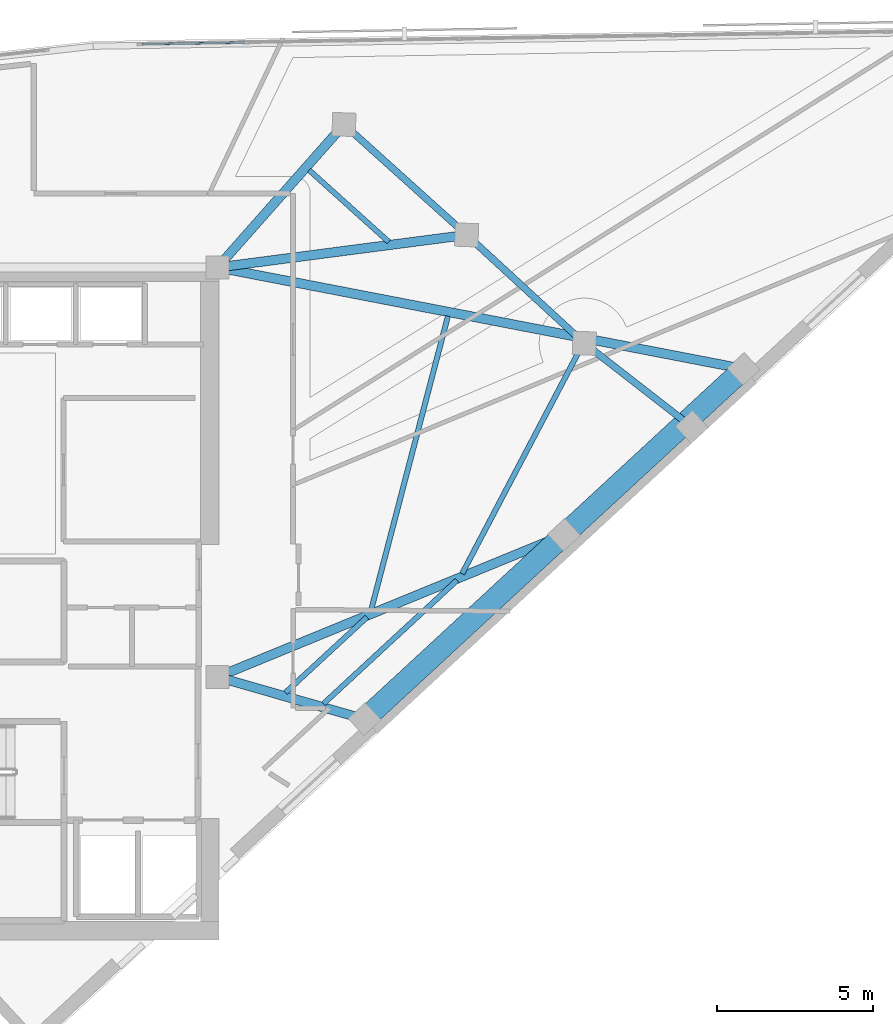
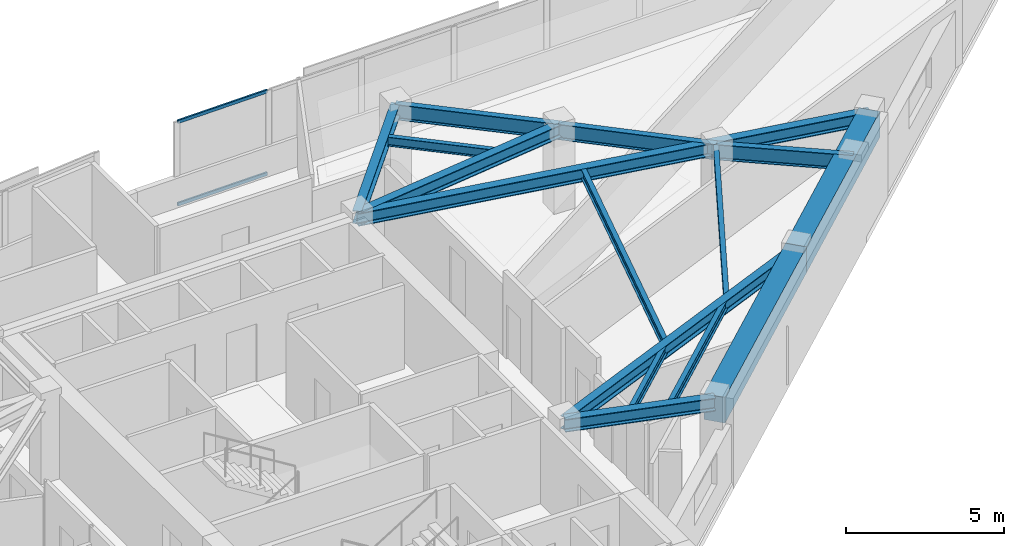
# One storey, part 4 of 13: 15 beams, 2 members, 1 element without a shape of its own.
"""IFC4 building model written with IfcOpenShell, lengths in metres."""

from ifc_helpers import new_model, si_unit, direction, frame, origin, origin_2d, place, context, subcontext, project, spatial, rectangle, hollow_rectangle, i_section, extrude, material, material_profile, profile_set, type_object, element, aggregate, save


model = new_model("IFC4")

# Units and contexts
model_context = context("Model", 3, precision=1e-05, world=origin(), true_north=direction((0.0, 1.0)))
body_context = subcontext(model_context, "Body", "Model", "MODEL_VIEW")
ifc_project = project(units=[si_unit("LENGTHUNIT", "METRE"), si_unit("AREAUNIT", "SQUARE_METRE"), si_unit("VOLUMEUNIT", "CUBIC_METRE"), si_unit("PLANEANGLEUNIT", "RADIAN"), si_unit("MASSUNIT", "GRAM", prefix="KILO")], contexts=[model_context])

# Site, building, storey
site_placement = place(None, origin())
site = spatial("IfcSite", under=ifc_project, at=site_placement, CompositionType="ELEMENT")
building_placement = place(site_placement, origin())
building = spatial("IfcBuilding", under=site, at=building_placement, Name="Narakoshi Arena Tower", CompositionType="ELEMENT")
storey_placement = place(building_placement, frame((0.0, 0.0, 271.300048828125)))
storey = spatial("IfcBuildingStorey", under=building, at=storey_placement, Name="L74", CompositionType="ELEMENT", Elevation=271.300048828125)

# Beams
ifc_material_1 = material(Name="Concrete C60/75", Category="concrete")
ifc_material_profile_1 = material_profile(ifc_material_1, rectangle(XDim=0.699951171875, YDim=1.0, at=origin_2d()), Name="RCB700x1000")
ifc_profile_set_1 = profile_set([ifc_material_profile_1], Name="Concrete C60/75")
beam_type_1 = type_object("IfcBeamType", Name="BM-CPL-1000", PredefinedType="BEAM", material=ifc_profile_set_1)
beam_1_placement = place(storey_placement, frame((90.2734375, 41.992919921875, 2.760009765625), z_axis=(0.734326819586, 0.678796082809, 0.0), x_axis=(-0.678796082809, 0.734326819586, 0.0)))
element("IfcBeam", 1, at=beam_1_placement, inside=storey, type_object=beam_type_1, Name="L74 Perimeter Edge Girder 01", PredefinedType="BEAM", context=body_context, shape_type="SweptSolid", body=[
    extrude(rectangle(XDim=0.699951171875, YDim=1.0, at=origin_2d()), origin(), (0.0, 0.0, 1.0), 8.72265625),
])
beam_2_placement = place(storey_placement, frame((96.6787109375, 47.913818359375, 2.760009765625), z_axis=(0.734333489286, 0.678788867405, 0.0), x_axis=(-0.678788867405, 0.734333489286, 0.0)))
element("IfcBeam", 2, at=beam_2_placement, inside=storey, type_object=beam_type_1, Name="L74 Perimeter Edge Girder 02", PredefinedType="BEAM", context=body_context, shape_type="SweptSolid", body=[
    extrude(rectangle(XDim=0.699951171875, YDim=1.0, at=origin_2d()), origin(), (0.0, 0.0, 1.0), 7.85009765625),
])
ifc_material_2 = material(Name="Structural steel S355J2", Category="steel")
ifc_material_profile_2 = material_profile(ifc_material_2, i_section(OverallWidth=0.219970703125, OverallDepth=0.60009765625, WebThickness=0.011962890625, FlangeThickness=0.01904296875, FilletRadius=0.02392578125, at=origin_2d()), Name="IPE600")
ifc_profile_set_2 = profile_set([ifc_material_profile_2], Name="Structural steel S355J2")
beam_type_2 = type_object("IfcBeamType", Name="BM-EDGE-600", PredefinedType="BEAM", material=ifc_profile_set_2)
beam_3_placement = place(storey_placement, frame((100.78173828125, 51.379638671875, 2.9599609375), z_axis=(-0.789307135535, 0.613998571491, 0.0), x_axis=(-0.613998571491, -0.789307135535, 0.0)))
element("IfcBeam", 3, at=beam_3_placement, inside=storey, type_object=beam_type_2, Name="L74 Perimeter Edge Girder 04", PredefinedType="BEAM", context=body_context, shape_type="SweptSolid", body=[
    extrude(i_section(OverallWidth=0.219970703125, OverallDepth=0.60009765625, WebThickness=0.011962890625, FlangeThickness=0.01904296875, FilletRadius=0.02392578125, at=origin_2d()), origin(), (0.0, 0.0, 1.0), 4.374267578125),
])
beam_4_placement = place(storey_placement, frame((97.3291015625, 54.0654296875, 2.9599609375), z_axis=(-0.735759504933, 0.677242903914, 0.0), x_axis=(-0.677242903914, -0.735759504933, 0.0)))
element("IfcBeam", 4, at=beam_4_placement, inside=storey, type_object=beam_type_2, Name="L74 Perimeter Edge Girder 05", PredefinedType="BEAM", context=body_context, shape_type="SweptSolid", body=[
    extrude(i_section(OverallWidth=0.219970703125, OverallDepth=0.60009765625, WebThickness=0.011962890625, FlangeThickness=0.01904296875, FilletRadius=0.02392578125, at=origin_2d()), origin(), (0.0, 0.0, 1.0), 5.135986328125),
])
beam_5_placement = place(storey_placement, frame((93.55029296875, 57.543701171875, 2.9599609375), z_axis=(-0.743147547665, 0.66912758305, 0.0), x_axis=(-0.66912758305, -0.743147547665, 0.0)))
element("IfcBeam", 5, at=beam_5_placement, inside=storey, type_object=beam_type_2, Name="L74 Perimeter Edge Girder 06", PredefinedType="BEAM", context=body_context, shape_type="SweptSolid", body=[
    extrude(i_section(OverallWidth=0.219970703125, OverallDepth=0.60009765625, WebThickness=0.011962890625, FlangeThickness=0.01904296875, FilletRadius=0.02392578125, at=origin_2d()), origin(), (0.0, 0.0, 1.0), 5.30029296875),
])
ifc_material_profile_3 = material_profile(ifc_material_2, i_section(OverallWidth=0.300048828125, OverallDepth=0.5, WebThickness=0.014404296875, FlangeThickness=0.028076171875, FilletRadius=0.027099609375, at=origin_2d()), Name="HE500B")
ifc_profile_set_3 = profile_set([ifc_material_profile_3], Name="Structural steel S355J2")
beam_type_3 = type_object("IfcBeamType", Name="BM-PRI-500", PredefinedType="BEAM", material=ifc_profile_set_3)
beam_6_placement = place(storey_placement, frame((85.550048828125, 43.35009765625, 3.010009765625), z_axis=(0.961112330887, -0.276157721993, 0.0), x_axis=(0.276157721993, 0.961112330887, 0.0)))
element("IfcBeam", 6, at=beam_6_placement, inside=storey, type_object=beam_type_3, Name="L74 Radial Primary Floor Girder 01", PredefinedType="BEAM", context=body_context, shape_type="SweptSolid", body=[
    extrude(i_section(OverallWidth=0.300048828125, OverallDepth=0.5, WebThickness=0.014404296875, FlangeThickness=0.028076171875, FilletRadius=0.027099609375, at=origin_2d()), origin(), (0.0, 0.0, 1.0), 4.91455078125),
])
beam_7_placement = place(storey_placement, frame((85.550048828125, 43.35009765625, 3.010009765625), z_axis=(0.925223618811, 0.379422265021, 0.0), x_axis=(-0.379422265021, 0.925223618811, 0.0)))
element("IfcBeam", 7, at=beam_7_placement, inside=storey, type_object=beam_type_3, Name="L74 Radial Primary Floor Girder 02", PredefinedType="BEAM", context=body_context, shape_type="SweptSolid", body=[
    extrude(i_section(OverallWidth=0.300048828125, OverallDepth=0.5, WebThickness=0.014404296875, FlangeThickness=0.028076171875, FilletRadius=0.027099609375, at=origin_2d()), origin(), (0.0, 0.0, 1.0), 12.028076171875),
])
beam_8_placement = place(storey_placement, frame((85.550048828125, 56.5, 3.010009765625), z_axis=(0.98191087483, -0.189343692505, 0.0), x_axis=(0.189343692505, 0.98191087483, 0.0)))
element("IfcBeam", 8, at=beam_8_placement, inside=storey, type_object=beam_type_3, Name="L74 Radial Primary Floor Girder 03", PredefinedType="BEAM", context=body_context, shape_type="SweptSolid", body=[
    extrude(i_section(OverallWidth=0.300048828125, OverallDepth=0.5, WebThickness=0.014404296875, FlangeThickness=0.028076171875, FilletRadius=0.027099609375, at=origin_2d()), origin(), (0.0, 0.0, 1.0), 17.20458984375),
])
beam_9_placement = place(storey_placement, frame((85.550048828125, 56.5, 3.010009765625), z_axis=(0.991597373641, 0.129362469783, 0.0), x_axis=(-0.129362469783, 0.991597373641, 0.0)))
element("IfcBeam", 9, at=beam_9_placement, inside=storey, type_object=beam_type_3, Name="L74 Radial Primary Floor Girder 06", PredefinedType="BEAM", context=body_context, shape_type="SweptSolid", body=[
    extrude(i_section(OverallWidth=0.300048828125, OverallDepth=0.5, WebThickness=0.014404296875, FlangeThickness=0.028076171875, FilletRadius=0.027099609375, at=origin_2d()), origin(), (0.0, 0.0, 1.0), 8.068115234375),
])
beam_10_placement = place(storey_placement, frame((85.550048828125, 56.5, 3.010009765625), z_axis=(0.662628886894, 0.748947900894, 0.0), x_axis=(-0.748947900894, 0.662628886894, 0.0)))
element("IfcBeam", 10, at=beam_10_placement, inside=storey, type_object=beam_type_3, Name="L74 Radial Primary Floor Girder 07", PredefinedType="BEAM", context=body_context, shape_type="SweptSolid", body=[
    extrude(i_section(OverallWidth=0.300048828125, OverallDepth=0.5, WebThickness=0.014404296875, FlangeThickness=0.028076171875, FilletRadius=0.027099609375, at=origin_2d()), origin(), (0.0, 0.0, 1.0), 6.129150390625),
])
ifc_material_profile_4 = material_profile(ifc_material_2, i_section(OverallWidth=0.169921875, OverallDepth=0.360107421875, WebThickness=0.008056640625, FlangeThickness=0.0126953125, FilletRadius=0.01806640625, at=origin_2d()), Name="IPE360")
ifc_profile_set_4 = profile_set([ifc_material_profile_4], Name="Structural steel S355J2")
beam_type_4 = type_object("IfcBeamType", Name="BM-SEC-360", PredefinedType="JOIST", material=ifc_profile_set_4)
beam_11_placement = place(storey_placement, frame((87.7275390625, 42.844482421875, 3.079833984375), z_axis=(0.734310037917, 0.678814236897, 0.0), x_axis=(-0.678814236897, 0.734310037917, 0.0)))
element("IfcBeam", 11, at=beam_11_placement, inside=storey, type_object=beam_type_4, Name="L74 Composite Secondary Floor Joist 01", PredefinedType="JOIST", context=body_context, shape_type="SweptSolid", body=[
    extrude(i_section(OverallWidth=0.169921875, OverallDepth=0.360107421875, WebThickness=0.008056640625, FlangeThickness=0.0126953125, FilletRadius=0.01806640625, at=origin_2d()), origin(), (0.0, 0.0, 1.0), 3.56787109375),
])
beam_12_placement = place(storey_placement, frame((88.95556640625, 42.49169921875, 3.079833984375), z_axis=(0.734339740284, 0.678782104832, 0.0), x_axis=(-0.678782104832, 0.734339740284, 0.0)))
element("IfcBeam", 12, at=beam_12_placement, inside=storey, type_object=beam_type_4, Name="L74 Composite Secondary Floor Joist 02", PredefinedType="JOIST", context=body_context, shape_type="SweptSolid", body=[
    extrude(i_section(OverallWidth=0.169921875, OverallDepth=0.360107421875, WebThickness=0.008056640625, FlangeThickness=0.0126953125, FilletRadius=0.01806640625, at=origin_2d()), origin(), (0.0, 0.0, 1.0), 5.835693359375),
])
beam_13_placement = place(storey_placement, frame((90.480712890625, 45.48876953125, 3.079833984375), z_axis=(0.252782191018, 0.967523211042, 0.0), x_axis=(-0.967523211042, 0.252782191018, 0.0)))
element("IfcBeam", 13, at=beam_13_placement, inside=storey, type_object=beam_type_4, Name="L74 Composite Secondary Floor Joist 03", PredefinedType="JOIST", context=body_context, shape_type="SweptSolid", body=[
    extrude(i_section(OverallWidth=0.169921875, OverallDepth=0.360107421875, WebThickness=0.008056640625, FlangeThickness=0.0126953125, FilletRadius=0.01806640625, at=origin_2d()), origin(), (0.0, 0.0, 1.0), 9.764404296875),
])
beam_14_placement = place(storey_placement, frame((93.40283203125, 46.664306640625, 3.079833984375), z_axis=(0.465370309963, 0.885116079734, 0.0), x_axis=(-0.885116079734, 0.465370309963, 0.0)))
element("IfcBeam", 14, at=beam_14_placement, inside=storey, type_object=beam_type_4, Name="L74 Composite Secondary Floor Joist 04", PredefinedType="JOIST", context=body_context, shape_type="SweptSolid", body=[
    extrude(i_section(OverallWidth=0.169921875, OverallDepth=0.360107421875, WebThickness=0.008056640625, FlangeThickness=0.0126953125, FilletRadius=0.01806640625, at=origin_2d()), origin(), (0.0, 0.0, 1.0), 8.401123046875),
])
beam_15_placement = place(storey_placement, frame((91.050048828125, 57.32080078125, 3.079833984375), z_axis=(-0.743145924769, 0.66912938547, 0.0), x_axis=(-0.66912938547, -0.743145924769, 0.0)))
element("IfcBeam", 15, at=beam_15_placement, inside=storey, type_object=beam_type_4, Name="L74 Composite Secondary Floor Joist 05", PredefinedType="JOIST", context=body_context, shape_type="SweptSolid", body=[
    extrude(i_section(OverallWidth=0.169921875, OverallDepth=0.360107421875, WebThickness=0.008056640625, FlangeThickness=0.0126953125, FilletRadius=0.01806640625, at=origin_2d()), origin(), (0.0, 0.0, 1.0), 3.440185546875),
])

# Curtain wall, members
ifc_material_3 = material(Name="Anodised bronze aluminium 6063-T6", Category="aluminium")
curtain_wall_type = type_object("IfcCurtainWallType", Name="CW-HYP-HIGH", PredefinedType="NOTDEFINED", material=ifc_material_3)
curtain_wall_placement = place(storey_placement, origin())
curtain_wall = element("IfcCurtainWall", 16, at=curtain_wall_placement, inside=storey, type_object=curtain_wall_type, Name="L74 Folded Hypotenuse Curtain Wall 1-1", PredefinedType="NOTDEFINED")
ifc_material_profile_5 = material_profile(ifc_material_3, hollow_rectangle(XDim=0.06494140625, YDim=0.1298828125, WallThickness=0.00390625, OuterFilletRadius=0.0048828125, at=origin_2d()), Name="TRN130x65x4")
ifc_profile_set_5 = profile_set([ifc_material_profile_5], Name="Anodised bronze aluminium 6063-T6")
member_type = type_object("IfcMemberType", Name="MEM-TRN-130", PredefinedType="USERDEFINED", material=ifc_profile_set_5)
member_1_placement = place(storey_placement, frame((86.427978515625, 63.72314453125, 0.032470703125), z_axis=(-0.999864541825, -0.016458979318, 0.0), x_axis=(0.016458979318, -0.999864541825, 0.0)))
member_1 = element("IfcMember", 17, at=member_1_placement, type_object=member_type, Name="CW-03 transom 8.1", ObjectType="TRANSOM", PredefinedType="USERDEFINED", context=body_context, shape_type="SweptSolid", body=[
    extrude(hollow_rectangle(XDim=0.06494140625, YDim=0.1298828125, WallThickness=0.00390625, OuterFilletRadius=0.0048828125, at=origin_2d()), origin(), (0.0, 0.0, 1.0), 3.307861328125),
])
member_2_placement = place(storey_placement, frame((86.427978515625, 63.72314453125, 3.2275390625), z_axis=(-0.999864541825, -0.016458979318, 0.0), x_axis=(0.016458979318, -0.999864541825, 0.0)))
member_2 = element("IfcMember", 18, at=member_2_placement, type_object=member_type, Name="CW-03 transom 8.2", ObjectType="TRANSOM", PredefinedType="USERDEFINED", context=body_context, shape_type="SweptSolid", body=[
    extrude(hollow_rectangle(XDim=0.06494140625, YDim=0.1298828125, WallThickness=0.00390625, OuterFilletRadius=0.0048828125, at=origin_2d()), origin(), (0.0, 0.0, 1.0), 3.307861328125),
])
aggregate(curtain_wall, [member_1, member_2])

save(model, "model.ifc")
